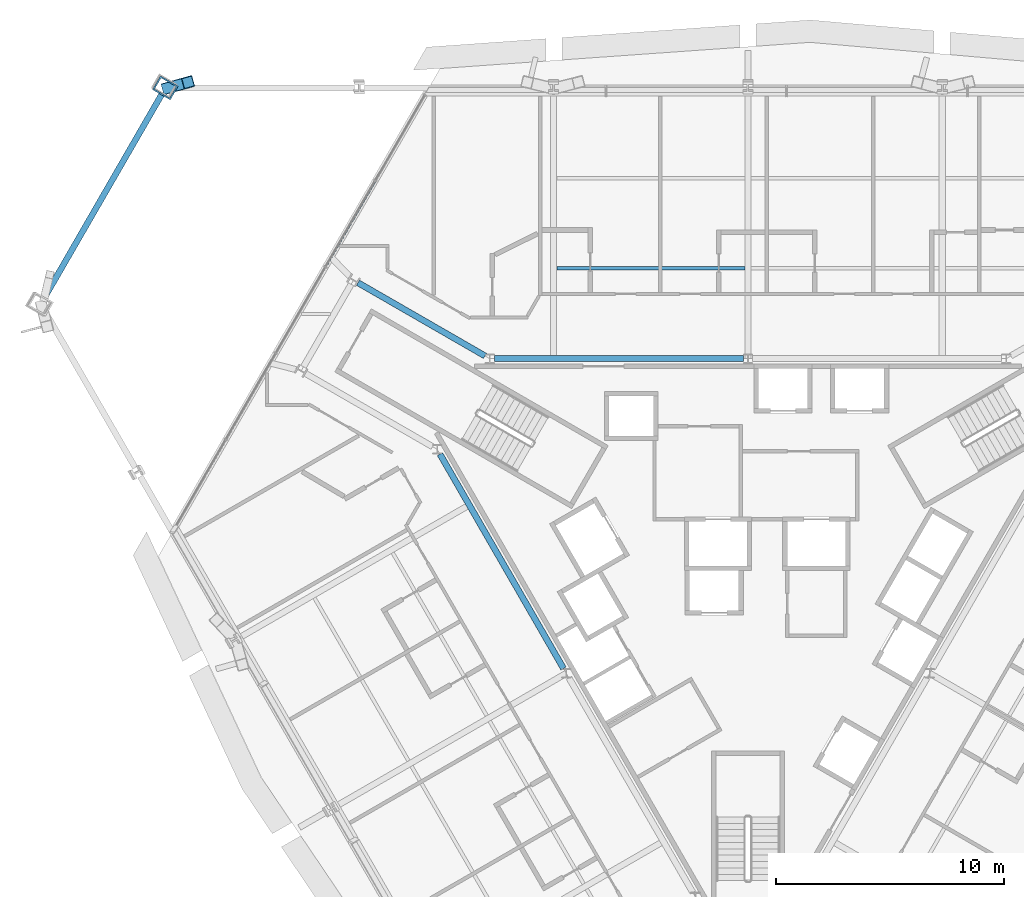
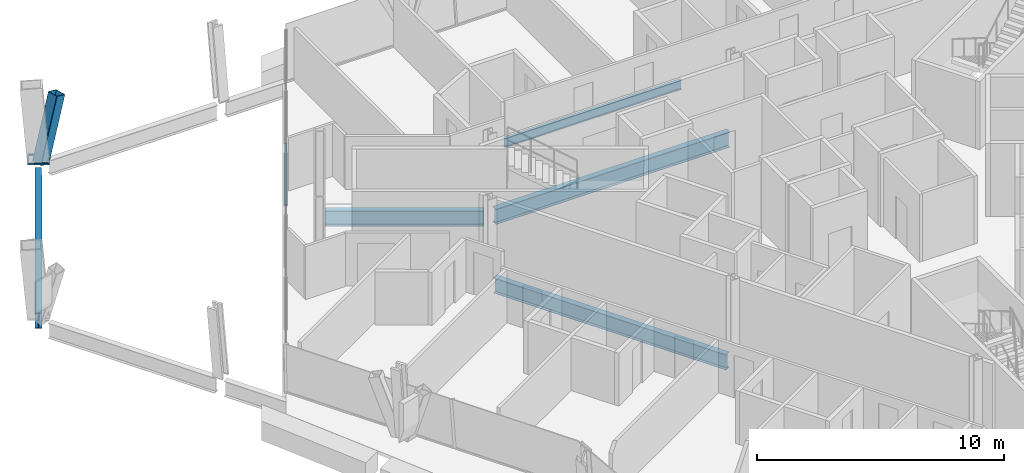
# One storey, part 6 of 17: 5 beams, 3 members, 1 element without a shape of its own.
"""IFC4 building model written with IfcOpenShell, lengths in metres."""

from ifc_helpers import new_model, si_unit, direction, frame, origin, origin_2d, place, context, subcontext, project, spatial, rectangle, hollow_rectangle, i_section, extrude, material, material_profile, profile_set, type_object, element, aggregate, save


model = new_model("IFC4")

# Units and contexts
model_context = context("Model", 3, precision=1e-05, world=origin(), true_north=direction((0.0, 1.0)))
body_context = subcontext(model_context, "Body", "Model", "MODEL_VIEW")
ifc_project = project(units=[si_unit("LENGTHUNIT", "METRE"), si_unit("AREAUNIT", "SQUARE_METRE"), si_unit("VOLUMEUNIT", "CUBIC_METRE"), si_unit("PLANEANGLEUNIT", "RADIAN"), si_unit("MASSUNIT", "GRAM", prefix="KILO")], contexts=[model_context])

# Site, building, storey
site_placement = place(None, origin())
site = spatial("IfcSite", under=ifc_project, at=site_placement, CompositionType="ELEMENT")
building_placement = place(site_placement, origin())
building = spatial("IfcBuilding", under=site, at=building_placement, Name="Verrane Prism Tower", CompositionType="ELEMENT")
storey_placement = place(building_placement, frame((0.0, 0.0, 62.0)))
storey = spatial("IfcBuildingStorey", under=building, at=storey_placement, Name="L13", CompositionType="ELEMENT", Elevation=62.0)

# Beams
ifc_material_1 = material(Name="Steel A992", Category="steel")
ifc_material_profile_1 = material_profile(ifc_material_1, i_section(OverallWidth=0.2666015625, OverallDepth=0.76708984375, WebThickness=0.014892578125, FlangeThickness=0.023681640625, FilletRadius=0.0166015625, at=origin_2d()), Name="W30x124")
ifc_profile_set_1 = profile_set([ifc_material_profile_1], Name="Steel A992")
beam_type_1 = type_object("IfcBeamType", Name="Chamfer spandrel beam W30x124", PredefinedType="SPANDREL", material=ifc_profile_set_1)
beam_1_placement = place(storey_placement, frame((-25.724853515625, 20.766845703125, -0.54345703125), z_axis=(-0.499796720239, -0.866142735603, 0.0), x_axis=(0.866142735603, -0.499796720239, 0.0)))
element("IfcBeam", 1, at=beam_1_placement, inside=storey, type_object=beam_type_1, Name="Chamfer spandrel beam L13", PredefinedType="SPANDREL", context=body_context, shape_type="SweptSolid", body=[
    extrude(i_section(OverallWidth=0.2666015625, OverallDepth=0.76708984375, WebThickness=0.014892578125, FlangeThickness=0.023681640625, FilletRadius=0.0166015625, at=origin_2d()), origin(), (0.0, 0.0, 1.0), 10.244873046875),
])
ifc_material_2 = material(Name="Steel A992", Category="steel")
ifc_material_profile_2 = material_profile(ifc_material_2, i_section(OverallWidth=0.2666015625, OverallDepth=0.7568359375, WebThickness=0.013916015625, FlangeThickness=0.019287109375, FilletRadius=0.0166015625, at=origin_2d()), Name="W30x108")
ifc_profile_set_2 = profile_set([ifc_material_profile_2], Name="Steel A992")
beam_type_2 = type_object("IfcBeamType", Name="Core ring girder W30x108", PredefinedType="BEAM", material=ifc_profile_set_2)
beam_2_placement = place(storey_placement, frame((-0.203125, 9.199951171875, -0.62841796875), z_axis=(-1.0, 0.0, 0.0), x_axis=(0.0, -1.0, 0.0)))
element("IfcBeam", 2, at=beam_2_placement, inside=storey, type_object=beam_type_2, Name="Core ring girder L13", PredefinedType="BEAM", context=body_context, shape_type="SweptSolid", body=[
    extrude(i_section(OverallWidth=0.2666015625, OverallDepth=0.7568359375, WebThickness=0.013916015625, FlangeThickness=0.019287109375, FilletRadius=0.0166015625, at=origin_2d()), origin(), (0.0, 0.0, 1.0), 10.923583984375),
])
beam_3_placement = place(storey_placement, frame((-11.533203125, 9.317138671875, -0.62841796875), z_axis=(-0.866447229751, 0.499268663203, 0.0), x_axis=(-0.499268663203, -0.866447229751, 0.0)))
element("IfcBeam", 3, at=beam_3_placement, inside=storey, type_object=beam_type_2, Name="Core ring girder L13", PredefinedType="BEAM", context=body_context, shape_type="SweptSolid", body=[
    extrude(i_section(OverallWidth=0.2666015625, OverallDepth=0.7568359375, WebThickness=0.013916015625, FlangeThickness=0.019287109375, FilletRadius=0.0166015625, at=origin_2d()), origin(), (0.0, 0.0, 1.0), 6.428466796875),
])
beam_4_placement = place(storey_placement, frame((-13.510009765625, 5.01171875, -0.62841796875), z_axis=(0.499371892062, -0.866387738498, 0.0), x_axis=(0.866387738498, 0.499371892062, 0.0)))
element("IfcBeam", 4, at=beam_4_placement, inside=storey, type_object=beam_type_2, Name="Core ring girder L13", PredefinedType="BEAM", context=body_context, shape_type="SweptSolid", body=[
    extrude(i_section(OverallWidth=0.2666015625, OverallDepth=0.7568359375, WebThickness=0.013916015625, FlangeThickness=0.019287109375, FilletRadius=0.0166015625, at=origin_2d()), origin(), (0.0, 0.0, 1.0), 10.853515625),
])

# Member
ifc_material_3 = material(Name="Steel A1085 Grade A", Category="steel")
ifc_material_profile_3 = material_profile(ifc_material_3, hollow_rectangle(XDim=0.508056640625, YDim=0.508056640625, WallThickness=0.025390625, InnerFilletRadius=0.0126953125, OuterFilletRadius=0.0380859375, at=origin_2d()), Name="HSS20x20x1")
ifc_profile_set_3 = profile_set([ifc_material_profile_3], Name="Steel A1085 Grade A")
member_type_1 = type_object("IfcMemberType", Name="Facade brace HSS20x20x1", PredefinedType="BRACE", material=ifc_profile_set_3)
member_1_placement = place(storey_placement, frame((-25.447509765625, 21.070068359375, -0.197509765625), z_axis=(0.28691956296, 0.080224219907, 0.954589565694), x_axis=(-0.269277388617, 0.963062660464, 0.0)))
element("IfcMember", 5, at=member_1_placement, inside=storey, type_object=member_type_1, Name="Facade brace N5 L13", PredefinedType="BRACE", context=body_context, shape_type="SweptSolid", body=[
    extrude(hollow_rectangle(XDim=0.508056640625, YDim=0.508056640625, WallThickness=0.025390625, InnerFilletRadius=0.0126953125, OuterFilletRadius=0.0380859375, at=origin_2d()), origin(), (0.0, 0.0, 1.0), 3.10400390625),
])

# Beam
ifc_material_4 = material(Name="Steel A992", Category="steel")
ifc_material_profile_4 = material_profile(ifc_material_4, i_section(OverallWidth=0.15234375, OverallDepth=0.449462890625, WebThickness=0.007568359375, FlangeThickness=0.0107421875, FilletRadius=0.01025390625, at=origin_2d()), Name="W18x35")
ifc_profile_set_4 = profile_set([ifc_material_profile_4], Name="Steel A992")
beam_type_3 = type_object("IfcBeamType", Name="Floor beam W18x35", PredefinedType="BEAM", material=ifc_profile_set_4)
beam_5_placement = place(storey_placement, frame((-8.386474609375, 13.15673828125, -0.384765625), z_axis=(1.0, 0.0, 0.0), x_axis=(0.0, 1.0, 0.0)))
element("IfcBeam", 6, at=beam_5_placement, inside=storey, type_object=beam_type_3, Name="Floor beam L13", PredefinedType="BEAM", context=body_context, shape_type="SweptSolid", body=[
    extrude(i_section(OverallWidth=0.15234375, OverallDepth=0.449462890625, WebThickness=0.007568359375, FlangeThickness=0.0107421875, FilletRadius=0.01025390625, at=origin_2d()), origin(), (0.0, 0.0, 1.0), 8.2529296875),
])

# Member
ifc_material_5 = material(Name="Steel A572 Grade 50", Category="steel")
ifc_material_profile_5 = material_profile(ifc_material_5, hollow_rectangle(XDim=0.699951171875, YDim=0.89990234375, WallThickness=0.06494140625, at=origin_2d()), Name="BOX 900x700x65")
ifc_profile_set_5 = profile_set([ifc_material_profile_5], Name="Steel A572 Grade 50")
member_type_2 = type_object("IfcMemberType", Name="Kink node BOX 900x700x65", PredefinedType="COLLAR", material=ifc_profile_set_5)
member_2_placement = place(storey_placement, frame((-25.551025390625, 21.071533203125, -0.0400390625), z_axis=(0.0, 0.0, 1.0), x_axis=(0.5, 0.866025403784, 0.0)))
element("IfcMember", 7, at=member_2_placement, inside=storey, type_object=member_type_2, Name="Kink node MC3 L13", PredefinedType="COLLAR", context=body_context, shape_type="SweptSolid", body=[
    extrude(hollow_rectangle(XDim=0.699951171875, YDim=0.89990234375, WallThickness=0.06494140625, at=origin_2d()), origin(), (0.0, 0.0, 1.0), 0.080078125),
])

# Curtain wall, member
ifc_material_6 = material(Name="Aluminium framed insulated glazing", Category="aluminium")
curtain_wall_type = type_object("IfcCurtainWallType", Name="Curtain wall CW-C 4200 module", PredefinedType="NOTDEFINED", material=ifc_material_6)
curtain_wall_placement = place(storey_placement, origin())
curtain_wall = element("IfcCurtainWall", 8, at=curtain_wall_placement, inside=storey, type_object=curtain_wall_type, Name="Glazed curtain wall garden cut line L13 1", PredefinedType="NOTDEFINED")
ifc_material_7 = material(Name="Aluminium alloy 6063-T6", Category="aluminium")
ifc_material_profile_6 = material_profile(ifc_material_7, rectangle(XDim=0.10009765625, YDim=0.050048828125, at=origin_2d()), Name="Transom 50x100 aluminium")
ifc_profile_set_6 = profile_set([ifc_material_profile_6], Name="Aluminium alloy 6063-T6")
member_type_3 = type_object("IfcMemberType", Name="Transom 50x100 aluminium", PredefinedType="USERDEFINED", material=ifc_profile_set_6)
member_3_placement = place(storey_placement, frame((-16.35986328125, 16.985107421875, 0.02490234375), z_axis=(-0.499968708895, -0.866043468958, 0.0), x_axis=(0.866043468958, -0.499968708895, 0.0)))
member_3 = element("IfcMember", 9, at=member_3_placement, type_object=member_type_3, Name="CW12.3.1 transom 2", ObjectType="TRANSOM", PredefinedType="USERDEFINED", context=body_context, shape_type="SweptSolid", body=[
    extrude(rectangle(XDim=0.10009765625, YDim=0.050048828125, at=origin_2d()), origin(), (0.0, 0.0, 1.0), 4.319580078125),
])
aggregate(curtain_wall, [member_3])

save(model, "model.ifc")
